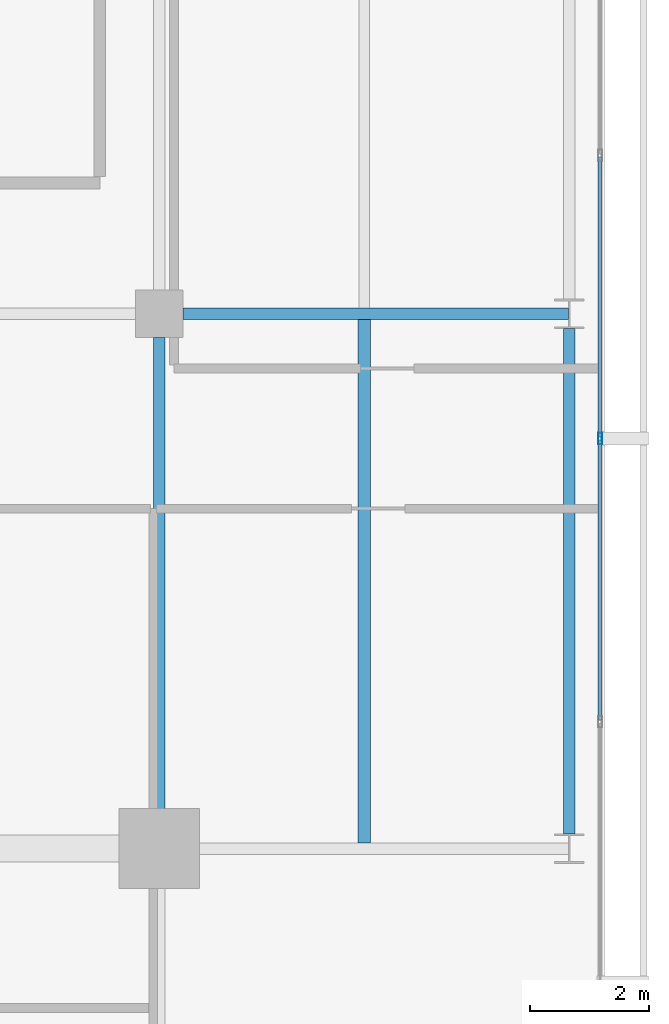
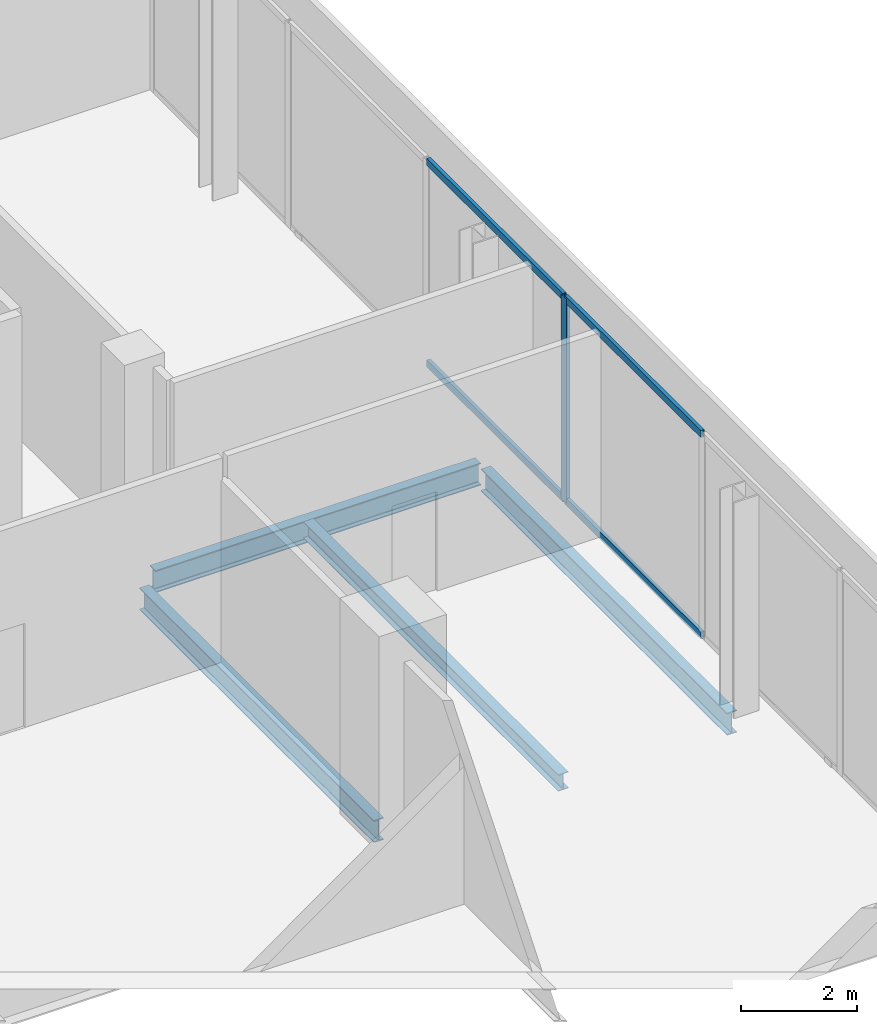
# One storey, part 12 of 23: 5 members, 4 beams, 1 element without a shape of its own.
"""IFC4 building model written with IfcOpenShell, lengths in metres."""

from ifc_helpers import new_model, si_unit, direction, frame, origin, origin_2d, place, context, subcontext, project, spatial, hollow_rectangle, i_section, extrude, material, layer, layer_set, material_profile, profile_set, type_object, element, aggregate, save


model = new_model("IFC4")

# Units and contexts
model_context = context("Model", 3, precision=1e-05, world=origin(), true_north=direction((0.0, 1.0)))
body_context = subcontext(model_context, "Body", "Model", "MODEL_VIEW")
ifc_project = project(units=[si_unit("LENGTHUNIT", "METRE"), si_unit("AREAUNIT", "SQUARE_METRE"), si_unit("VOLUMEUNIT", "CUBIC_METRE"), si_unit("PLANEANGLEUNIT", "RADIAN"), si_unit("MASSUNIT", "GRAM", prefix="KILO")], contexts=[model_context])

# Site, building, storey
site_placement = place(None, origin())
site = spatial("IfcSite", under=ifc_project, at=site_placement, CompositionType="ELEMENT")
building_placement = place(site_placement, origin())
building = spatial("IfcBuilding", under=site, at=building_placement, Name="Maruvema Waterfront Hotel and Observation Tower", CompositionType="ELEMENT")
storey_placement = place(building_placement, frame((0.0, 0.0, 345.10009765625)))
storey = spatial("IfcBuildingStorey", under=building, at=storey_placement, Name="L85", CompositionType="ELEMENT", Elevation=345.10009765625)

# Curtain wall, members
ifc_material_1 = material(Name="Anodised bronze aluminium and solar-control low-E IGU", Category="aluminium")
ifc_layer = layer(ifc_material_1, 0.159912109375, Name="Observation Crown Structural Glazed Curtain Wall System CW-06")
ifc_layer_set = layer_set([ifc_layer], Name="Anodised bronze aluminium and solar-control low-E IGU")
curtain_wall_type = type_object("IfcCurtainWallType", Name="Observation Crown Structural Glazed Curtain Wall System CW-06", PredefinedType="USERDEFINED", material=ifc_layer_set)
curtain_wall_placement = place(storey_placement, origin())
curtain_wall = element("IfcCurtainWall", 1, at=curtain_wall_placement, inside=storey, type_object=curtain_wall_type, Name="L85 Curtain Wall CW-L85-E", ObjectType="UNITISED CURTAIN WALL", PredefinedType="USERDEFINED")
ifc_material_2 = material(Name="Anodised architectural bronze aluminium", Category="aluminium")
ifc_material_profile_1 = material_profile(ifc_material_2, hollow_rectangle(XDim=0.070068359375, YDim=0.14990234375, WallThickness=0.00390625, at=origin_2d()), Name="ALU-T70x150")
ifc_profile_set_1 = profile_set([ifc_material_profile_1], Name="Anodised architectural bronze aluminium")
member_type_1 = type_object("IfcMemberType", Name="Curtain Wall Horizontal Transom ALU-T70x150", PredefinedType="USERDEFINED", material=ifc_profile_set_1)
member_1_placement = place(storey_placement, frame((57.820068359375, 29.163330078125, 0.02978515625), z_axis=(0.0, 1.0, 0.0), x_axis=(-1.0, 0.0, 0.0)))
member_1 = element("IfcMember", 2, at=member_1_placement, type_object=member_type_1, Name="CW-06 transom 3.1", ObjectType="TRANSOM", PredefinedType="USERDEFINED", context=body_context, shape_type="SweptSolid", body=[
    extrude(hollow_rectangle(XDim=0.070068359375, YDim=0.14990234375, WallThickness=0.00390625, at=origin_2d()), origin(), (0.0, 0.0, 1.0), 4.706787109375),
])
member_2_placement = place(storey_placement, frame((57.820068359375, 29.163330078125, 4.27978515625), z_axis=(0.0, 1.0, 0.0), x_axis=(-1.0, 0.0, 0.0)))
member_2 = element("IfcMember", 3, at=member_2_placement, type_object=member_type_1, Name="CW-06 transom 3.2", ObjectType="TRANSOM", PredefinedType="USERDEFINED", context=body_context, shape_type="SweptSolid", body=[
    extrude(hollow_rectangle(XDim=0.070068359375, YDim=0.14990234375, WallThickness=0.00390625, at=origin_2d()), origin(), (0.0, 0.0, 1.0), 4.706787109375),
])
member_3_placement = place(storey_placement, frame((57.820068359375, 33.929931640625, 0.02978515625), z_axis=(0.0, 1.0, 0.0), x_axis=(-1.0, 0.0, 0.0)))
member_3 = element("IfcMember", 4, at=member_3_placement, type_object=member_type_1, Name="CW-06 transom 4.1", ObjectType="TRANSOM", PredefinedType="USERDEFINED", context=body_context, shape_type="SweptSolid", body=[
    extrude(hollow_rectangle(XDim=0.070068359375, YDim=0.14990234375, WallThickness=0.00390625, at=origin_2d()), origin(), (0.0, 0.0, 1.0), 4.706787109375),
])
member_4_placement = place(storey_placement, frame((57.820068359375, 33.929931640625, 4.27978515625), z_axis=(0.0, 1.0, 0.0), x_axis=(-1.0, 0.0, 0.0)))
member_4 = element("IfcMember", 5, at=member_4_placement, type_object=member_type_1, Name="CW-06 transom 4.2", ObjectType="TRANSOM", PredefinedType="USERDEFINED", context=body_context, shape_type="SweptSolid", body=[
    extrude(hollow_rectangle(XDim=0.070068359375, YDim=0.14990234375, WallThickness=0.00390625, at=origin_2d()), origin(), (0.0, 0.0, 1.0), 4.706787109375),
])
ifc_material_3 = material(Name="Anodised architectural bronze aluminium", Category="aluminium")
ifc_material_profile_2 = material_profile(ifc_material_3, hollow_rectangle(XDim=0.070068359375, YDim=0.18994140625, WallThickness=0.00390625, at=origin_2d()), Name="ALU-M70x190")
ifc_profile_set_2 = profile_set([ifc_material_profile_2], Name="Anodised architectural bronze aluminium")
member_type_2 = type_object("IfcMemberType", Name="Podium Storefront Heavy Mullion ALU-M70x190", PredefinedType="MULLION", material=ifc_profile_set_2)
member_5_placement = place(storey_placement, frame((57.820068359375, 33.89990234375, 0.0), z_axis=(0.0, 0.0, 1.0), x_axis=(-1.0, 0.0, 0.0)))
member_5 = element("IfcMember", 6, at=member_5_placement, type_object=member_type_2, Name="CW-06 mullion 4", PredefinedType="MULLION", context=body_context, shape_type="SweptSolid", body=[
    extrude(hollow_rectangle(XDim=0.070068359375, YDim=0.18994140625, WallThickness=0.00390625, at=origin_2d()), origin(), (0.0, 0.0, 1.0), 4.309814453125),
])
aggregate(curtain_wall, [member_5, member_1, member_2, member_3, member_4])

# Beams
ifc_material_4 = material(Name="Steel ASTM A572 Grade 50", Category="steel")
ifc_material_profile_3 = material_profile(ifc_material_4, i_section(OverallWidth=0.194091796875, OverallDepth=0.468994140625, WebThickness=0.0126953125, FlangeThickness=0.0205078125, FilletRadius=0.014892578125, at=origin_2d()), Name="W460x106.0")
ifc_profile_set_3 = profile_set([ifc_material_profile_3], Name="Steel ASTM A572 Grade 50")
beam_type_1 = type_object("IfcBeamType", Name="Primary Floor Girder W460x106.0", PredefinedType="BEAM", material=ifc_profile_set_3)
beam_1_placement = place(storey_placement, frame((50.800048828125, 36.0, -0.474609375), z_axis=(1.0, 0.0, 0.0), x_axis=(0.0, 1.0, 0.0)))
element("IfcBeam", 7, at=beam_1_placement, inside=storey, type_object=beam_type_1, Name="L85 Floor Girder EW-14", PredefinedType="BEAM", context=body_context, shape_type="SweptSolid", body=[
    extrude(i_section(OverallWidth=0.194091796875, OverallDepth=0.468994140625, WebThickness=0.0126953125, FlangeThickness=0.0205078125, FilletRadius=0.014892578125, at=origin_2d()), origin(), (0.0, 0.0, 1.0), 6.489013671875),
])
beam_2_placement = place(storey_placement, frame((50.39990234375, 27.5, -0.474609375), z_axis=(0.0, 1.0, 0.0), x_axis=(-1.0, 0.0, 0.0)))
element("IfcBeam", 8, at=beam_2_placement, inside=storey, type_object=beam_type_1, Name="L85 Floor Girder NS-13", PredefinedType="BEAM", context=body_context, shape_type="SweptSolid", body=[
    extrude(i_section(OverallWidth=0.194091796875, OverallDepth=0.468994140625, WebThickness=0.0126953125, FlangeThickness=0.0205078125, FilletRadius=0.014892578125, at=origin_2d()), origin(), (0.0, 0.0, 1.0), 8.10009765625),
])
beam_3_placement = place(storey_placement, frame((57.300048828125, 27.25, -0.474609375), z_axis=(0.0, 1.0, 0.0), x_axis=(-1.0, 0.0, 0.0)))
element("IfcBeam", 9, at=beam_3_placement, inside=storey, type_object=beam_type_1, Name="L85 Floor Girder NS-15", PredefinedType="BEAM", context=body_context, shape_type="SweptSolid", body=[
    extrude(i_section(OverallWidth=0.194091796875, OverallDepth=0.468994140625, WebThickness=0.0126953125, FlangeThickness=0.0205078125, FilletRadius=0.014892578125, at=origin_2d()), origin(), (0.0, 0.0, 1.0), 8.5),
])
ifc_material_5 = material(Name="Steel ASTM A572 Grade 50", Category="steel")
ifc_material_profile_4 = material_profile(ifc_material_5, i_section(OverallWidth=0.202880859375, OverallDepth=0.346923828125, WebThickness=0.0078125, FlangeThickness=0.013427734375, FilletRadius=0.014892578125, at=origin_2d()), Name="W360x64.0")
ifc_profile_set_4 = profile_set([ifc_material_profile_4], Name="Steel ASTM A572 Grade 50")
beam_type_2 = type_object("IfcBeamType", Name="Secondary Floor Joist W360x64.0", PredefinedType="JOIST", material=ifc_profile_set_4)
beam_4_placement = place(storey_placement, frame((53.85009765625, 27.096923828125, -0.41357421875), z_axis=(0.0, 1.0, 0.0), x_axis=(-1.0, 0.0, 0.0)))
element("IfcBeam", 10, at=beam_4_placement, inside=storey, type_object=beam_type_2, Name="L85 Secondary Floor Joist JS-06", PredefinedType="JOIST", context=body_context, shape_type="SweptSolid", body=[
    extrude(i_section(OverallWidth=0.202880859375, OverallDepth=0.346923828125, WebThickness=0.0078125, FlangeThickness=0.013427734375, FilletRadius=0.014892578125, at=origin_2d()), origin(), (0.0, 0.0, 1.0), 8.80615234375),
])

save(model, "model.ifc")
